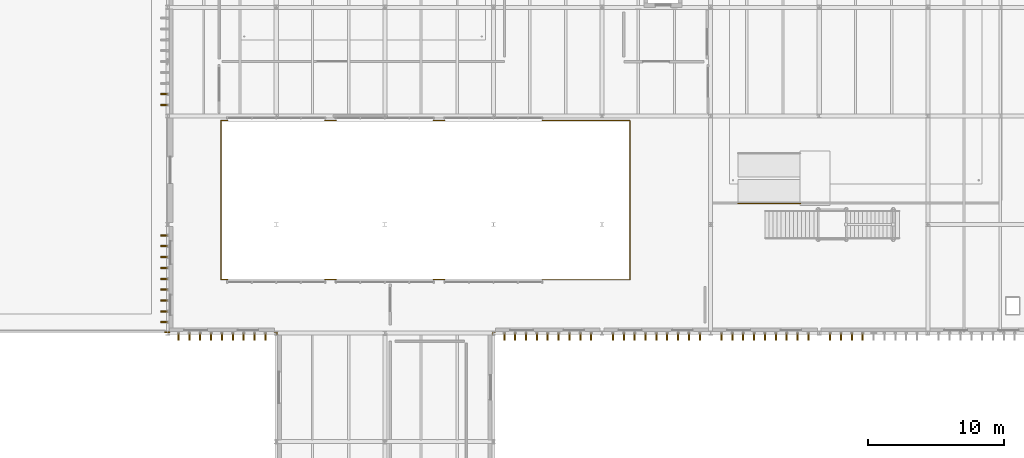
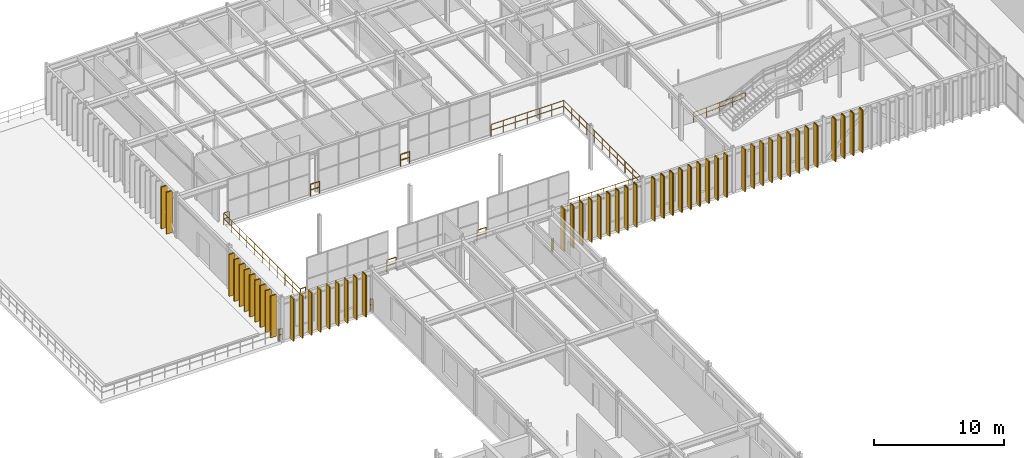
# One storey, part 115 of 122: 51 coverings, 51 shading devices, 11 railings.
"""IFC4 building model written with IfcOpenShell, lengths in metres."""

from ifc_helpers import new_model, si_unit, direction, frame, origin, origin_2d, place, context, subcontext, project, spatial, rectangle, circle, extrude, material, layer, layer_set, type_object, element, save


model = new_model("IFC4")

# Units and contexts
model_context = context("Model", 3, precision=1e-05, world=origin(), true_north=direction((0.0, 1.0)))
body_context = subcontext(model_context, "Body", "Model", "MODEL_VIEW")
ifc_project = project(units=[si_unit("LENGTHUNIT", "METRE"), si_unit("AREAUNIT", "SQUARE_METRE"), si_unit("VOLUMEUNIT", "CUBIC_METRE"), si_unit("PLANEANGLEUNIT", "RADIAN"), si_unit("MASSUNIT", "GRAM", prefix="KILO")], contexts=[model_context])

# Site, building, storey
site_placement = place(None, origin())
site = spatial("IfcSite", under=ifc_project, at=site_placement, CompositionType="ELEMENT")
building_placement = place(site_placement, origin())
building = spatial("IfcBuilding", under=site, at=building_placement, Name="Sundkrona Museum", CompositionType="ELEMENT")
storey_placement = place(building_placement, frame((0.0, 0.0, 5.39990234375)))
storey = spatial("IfcBuildingStorey", under=building, at=storey_placement, Name="L01", CompositionType="ELEMENT", Elevation=5.39990234375)

# Coverings
ifc_material_1 = material(Name="Frost-Resistant Vitrified Stoneware Mosaic Cladding", Category="masonry")
ifc_layer_1 = layer(ifc_material_1, 0.044921875)
ifc_layer_set_1 = layer_set([ifc_layer_1], Name="Frost-Resistant Vitrified Stoneware Mosaic Cladding")
covering_type = type_object("IfcCoveringType", Name="COV-CLD-MOS", PredefinedType="CLADDING", material=ifc_layer_set_1)
for number, where, z_axis, x_axis, name in (
    (1, (16.800048828125, 77.7451171875, 0.0), (0.0, 0.0, 1.0), (1.0, 0.0, 0.0), "L01 Vitrified Ceramic Brise-Soleil Casing S-001"),
    (2, (17.60009765625, 77.7451171875, 0.0), (0.0, 0.0, 1.0), (1.0, 0.0, 0.0), "L01 Vitrified Ceramic Brise-Soleil Casing S-002"),
    (3, (18.39990234375, 77.7451171875, 0.0), (0.0, 0.0, 1.0), (1.0, 0.0, 0.0), "L01 Vitrified Ceramic Brise-Soleil Casing S-003"),
    (4, (19.199951171875, 77.7451171875, 0.0), (0.0, 0.0, 1.0), (1.0, 0.0, 0.0), "L01 Vitrified Ceramic Brise-Soleil Casing S-004"),
    (5, (20.0, 77.7451171875, 0.0), (0.0, 0.0, 1.0), (1.0, 0.0, 0.0), "L01 Vitrified Ceramic Brise-Soleil Casing S-005"),
    (6, (20.800048828125, 77.7451171875, 0.0), (0.0, 0.0, 1.0), (1.0, 0.0, 0.0), "L01 Vitrified Ceramic Brise-Soleil Casing S-006"),
    (7, (21.60009765625, 77.7451171875, 0.0), (0.0, 0.0, 1.0), (1.0, 0.0, 0.0), "L01 Vitrified Ceramic Brise-Soleil Casing S-007"),
    (8, (22.39990234375, 77.7451171875, 0.0), (0.0, 0.0, 1.0), (1.0, 0.0, 0.0), "L01 Vitrified Ceramic Brise-Soleil Casing S-008"),
    (9, (23.199951171875, 77.7451171875, 0.0), (0.0, 0.0, 1.0), (1.0, 0.0, 0.0), "L01 Vitrified Ceramic Brise-Soleil Casing S-009"),
    (10, (40.800048828125, 77.7451171875, 0.0), (0.0, 0.0, 1.0), (1.0, 0.0, 0.0), "L01 Vitrified Ceramic Brise-Soleil Casing S-010"),
    (11, (41.60009765625, 77.7451171875, 0.0), (0.0, 0.0, 1.0), (1.0, 0.0, 0.0), "L01 Vitrified Ceramic Brise-Soleil Casing S-011"),
    (12, (42.39990234375, 77.7451171875, 0.0), (0.0, 0.0, 1.0), (1.0, 0.0, 0.0), "L01 Vitrified Ceramic Brise-Soleil Casing S-012"),
    (13, (43.199951171875, 77.7451171875, 0.0), (0.0, 0.0, 1.0), (1.0, 0.0, 0.0), "L01 Vitrified Ceramic Brise-Soleil Casing S-013"),
    (14, (44.0, 77.7451171875, 0.0), (0.0, 0.0, 1.0), (1.0, 0.0, 0.0), "L01 Vitrified Ceramic Brise-Soleil Casing S-014"),
    (15, (44.800048828125, 77.7451171875, 0.0), (0.0, 0.0, 1.0), (1.0, 0.0, 0.0), "L01 Vitrified Ceramic Brise-Soleil Casing S-015"),
    (16, (45.60009765625, 77.7451171875, 0.0), (0.0, 0.0, 1.0), (1.0, 0.0, 0.0), "L01 Vitrified Ceramic Brise-Soleil Casing S-016"),
    (17, (46.39990234375, 77.7451171875, 0.0), (0.0, 0.0, 1.0), (1.0, 0.0, 0.0), "L01 Vitrified Ceramic Brise-Soleil Casing S-017"),
    (18, (47.199951171875, 77.7451171875, 0.0), (0.0, 0.0, 1.0), (1.0, 0.0, 0.0), "L01 Vitrified Ceramic Brise-Soleil Casing S-018"),
    (19, (48.800048828125, 77.7451171875, 0.0), (0.0, 0.0, 1.0), (1.0, 0.0, 0.0), "L01 Vitrified Ceramic Brise-Soleil Casing S-019"),
    (20, (49.60009765625, 77.7451171875, 0.0), (0.0, 0.0, 1.0), (1.0, 0.0, 0.0), "L01 Vitrified Ceramic Brise-Soleil Casing S-020"),
    (21, (50.39990234375, 77.7451171875, 0.0), (0.0, 0.0, 1.0), (1.0, 0.0, 0.0), "L01 Vitrified Ceramic Brise-Soleil Casing S-021"),
    (22, (51.199951171875, 77.7451171875, 0.0), (0.0, 0.0, 1.0), (1.0, 0.0, 0.0), "L01 Vitrified Ceramic Brise-Soleil Casing S-022"),
    (23, (52.0, 77.7451171875, 0.0), (0.0, 0.0, 1.0), (1.0, 0.0, 0.0), "L01 Vitrified Ceramic Brise-Soleil Casing S-023"),
    (24, (52.800048828125, 77.7451171875, 0.0), (0.0, 0.0, 1.0), (1.0, 0.0, 0.0), "L01 Vitrified Ceramic Brise-Soleil Casing S-024"),
    (25, (53.60009765625, 77.7451171875, 0.0), (0.0, 0.0, 1.0), (1.0, 0.0, 0.0), "L01 Vitrified Ceramic Brise-Soleil Casing S-025"),
    (26, (54.39990234375, 77.7451171875, 0.0), (0.0, 0.0, 1.0), (1.0, 0.0, 0.0), "L01 Vitrified Ceramic Brise-Soleil Casing S-026"),
    (27, (55.199951171875, 77.7451171875, 0.0), (0.0, 0.0, 1.0), (1.0, 0.0, 0.0), "L01 Vitrified Ceramic Brise-Soleil Casing S-027"),
    (28, (56.800048828125, 77.7451171875, 0.0), (0.0, 0.0, 1.0), (1.0, 0.0, 0.0), "L01 Vitrified Ceramic Brise-Soleil Casing S-028"),
    (29, (57.60009765625, 77.7451171875, 0.0), (0.0, 0.0, 1.0), (1.0, 0.0, 0.0), "L01 Vitrified Ceramic Brise-Soleil Casing S-029"),
    (30, (58.39990234375, 77.7451171875, 0.0), (0.0, 0.0, 1.0), (1.0, 0.0, 0.0), "L01 Vitrified Ceramic Brise-Soleil Casing S-030"),
    (31, (59.199951171875, 77.7451171875, 0.0), (0.0, 0.0, 1.0), (1.0, 0.0, 0.0), "L01 Vitrified Ceramic Brise-Soleil Casing S-031"),
    (32, (60.0, 77.7451171875, 0.0), (0.0, 0.0, 1.0), (1.0, 0.0, 0.0), "L01 Vitrified Ceramic Brise-Soleil Casing S-032"),
    (33, (60.800048828125, 77.7451171875, 0.0), (0.0, 0.0, 1.0), (1.0, 0.0, 0.0), "L01 Vitrified Ceramic Brise-Soleil Casing S-033"),
    (34, (61.60009765625, 77.7451171875, 0.0), (0.0, 0.0, 1.0), (1.0, 0.0, 0.0), "L01 Vitrified Ceramic Brise-Soleil Casing S-034"),
    (35, (62.39990234375, 77.7451171875, 0.0), (0.0, 0.0, 1.0), (1.0, 0.0, 0.0), "L01 Vitrified Ceramic Brise-Soleil Casing S-035"),
    (36, (63.199951171875, 77.7451171875, 0.0), (0.0, 0.0, 1.0), (1.0, 0.0, 0.0), "L01 Vitrified Ceramic Brise-Soleil Casing S-036"),
    (37, (64.800048828125, 77.7451171875, 0.0), (0.0, 0.0, 1.0), (1.0, 0.0, 0.0), "L01 Vitrified Ceramic Brise-Soleil Casing S-037"),
    (38, (65.60009765625, 77.7451171875, 0.0), (0.0, 0.0, 1.0), (1.0, 0.0, 0.0), "L01 Vitrified Ceramic Brise-Soleil Casing S-038"),
    (39, (66.39990234375, 77.7451171875, 0.0), (0.0, 0.0, 1.0), (1.0, 0.0, 0.0), "L01 Vitrified Ceramic Brise-Soleil Casing S-039"),
    (40, (67.199951171875, 77.7451171875, 0.0), (0.0, 0.0, 1.0), (1.0, 0.0, 0.0), "L01 Vitrified Ceramic Brise-Soleil Casing S-040"),
):
    element("IfcCovering", number, at=place(storey_placement, frame(where, z_axis=z_axis, x_axis=x_axis)), inside=storey, type_object=covering_type, Name=name, PredefinedType="CLADDING", context=body_context, shape_type="SweptSolid", body=[
        extrude(rectangle(XDim=0.110107421875, YDim=0.530029296875, at=origin_2d()), origin(), (0.0, 0.0, 1.0), 3.9599609375),
    ])
for number, where, z_axis, x_axis, name in (
    (41, (15.7451171875, 78.800048828125, 0.000244140625), (0.0, 0.0, 1.0), (1.0, 0.0, 0.0), "L01 Vitrified Ceramic Brise-Soleil Casing W-145"),
    (42, (15.7451171875, 79.60009765625, 0.000244140625), (0.0, 0.0, 1.0), (1.0, 0.0, 0.0), "L01 Vitrified Ceramic Brise-Soleil Casing W-146"),
    (43, (15.7451171875, 80.39990234375, 0.000244140625), (0.0, 0.0, 1.0), (1.0, 0.0, 0.0), "L01 Vitrified Ceramic Brise-Soleil Casing W-147"),
    (44, (15.7451171875, 81.199951171875, 0.000244140625), (0.0, 0.0, 1.0), (1.0, 0.0, 0.0), "L01 Vitrified Ceramic Brise-Soleil Casing W-148"),
    (45, (15.7451171875, 82.0, 0.000244140625), (0.0, 0.0, 1.0), (1.0, 0.0, 0.0), "L01 Vitrified Ceramic Brise-Soleil Casing W-149"),
    (46, (15.7451171875, 82.800048828125, 0.000244140625), (0.0, 0.0, 1.0), (1.0, 0.0, 0.0), "L01 Vitrified Ceramic Brise-Soleil Casing W-150"),
    (47, (15.7451171875, 83.60009765625, 0.000244140625), (0.0, 0.0, 1.0), (1.0, 0.0, 0.0), "L01 Vitrified Ceramic Brise-Soleil Casing W-151"),
    (48, (15.7451171875, 84.39990234375, 0.000244140625), (0.0, 0.0, 1.0), (1.0, 0.0, 0.0), "L01 Vitrified Ceramic Brise-Soleil Casing W-152"),
    (49, (15.7451171875, 85.199951171875, 0.000244140625), (0.0, 0.0, 1.0), (1.0, 0.0, 0.0), "L01 Vitrified Ceramic Brise-Soleil Casing W-153"),
    (50, (15.7451171875, 94.800048828125, 0.000244140625), (0.0, 0.0, 1.0), (1.0, 0.0, 0.0), "L01 Vitrified Ceramic Brise-Soleil Casing W-154"),
    (51, (15.7451171875, 95.60009765625, 0.000244140625), (0.0, 0.0, 1.0), (1.0, 0.0, 0.0), "L01 Vitrified Ceramic Brise-Soleil Casing W-155"),
):
    element("IfcCovering", number, at=place(storey_placement, frame(where, z_axis=z_axis, x_axis=x_axis)), inside=storey, type_object=covering_type, Name=name, PredefinedType="CLADDING", context=body_context, shape_type="SweptSolid", body=[
        extrude(rectangle(XDim=0.530029296875, YDim=0.110107421875, at=origin_2d()), origin(), (0.0, 0.0, 1.0), 3.919921875),
    ])

# Shading devices
ifc_material_2 = material(Name="Vitrified Stoneware Ceramic on Galvanised Steel Core", Category="masonry")
ifc_layer_2 = layer(ifc_material_2, 0.080078125)
ifc_layer_set_2 = layer_set([ifc_layer_2], Name="Vitrified Stoneware Ceramic on Galvanised Steel Core")
shading_device_type = type_object("IfcShadingDeviceType", Name="FIN-CER-520", PredefinedType="USERDEFINED", material=ifc_layer_set_2)
for number, where, z_axis, x_axis, name in (
    (52, (16.800048828125, 77.739990234375, 0.0), (0.0, 0.0, 1.0), (1.0, 0.0, 0.0), "L01 Ceramic Brise-Soleil Fin S-001"),
    (53, (17.60009765625, 77.739990234375, 0.0), (0.0, 0.0, 1.0), (1.0, 0.0, 0.0), "L01 Ceramic Brise-Soleil Fin S-002"),
    (54, (18.39990234375, 77.739990234375, 0.0), (0.0, 0.0, 1.0), (1.0, 0.0, 0.0), "L01 Ceramic Brise-Soleil Fin S-003"),
    (55, (19.199951171875, 77.739990234375, 0.0), (0.0, 0.0, 1.0), (1.0, 0.0, 0.0), "L01 Ceramic Brise-Soleil Fin S-004"),
    (56, (20.0, 77.739990234375, 0.0), (0.0, 0.0, 1.0), (1.0, 0.0, 0.0), "L01 Ceramic Brise-Soleil Fin S-005"),
    (57, (20.800048828125, 77.739990234375, 0.0), (0.0, 0.0, 1.0), (1.0, 0.0, 0.0), "L01 Ceramic Brise-Soleil Fin S-006"),
    (58, (21.60009765625, 77.739990234375, 0.0), (0.0, 0.0, 1.0), (1.0, 0.0, 0.0), "L01 Ceramic Brise-Soleil Fin S-007"),
    (59, (22.39990234375, 77.739990234375, 0.0), (0.0, 0.0, 1.0), (1.0, 0.0, 0.0), "L01 Ceramic Brise-Soleil Fin S-008"),
    (60, (23.199951171875, 77.739990234375, 0.0), (0.0, 0.0, 1.0), (1.0, 0.0, 0.0), "L01 Ceramic Brise-Soleil Fin S-009"),
    (61, (40.800048828125, 77.739990234375, 0.0), (0.0, 0.0, 1.0), (1.0, 0.0, 0.0), "L01 Ceramic Brise-Soleil Fin S-010"),
    (62, (41.60009765625, 77.739990234375, 0.0), (0.0, 0.0, 1.0), (1.0, 0.0, 0.0), "L01 Ceramic Brise-Soleil Fin S-011"),
    (63, (42.39990234375, 77.739990234375, 0.0), (0.0, 0.0, 1.0), (1.0, 0.0, 0.0), "L01 Ceramic Brise-Soleil Fin S-012"),
    (64, (43.199951171875, 77.739990234375, 0.0), (0.0, 0.0, 1.0), (1.0, 0.0, 0.0), "L01 Ceramic Brise-Soleil Fin S-013"),
    (65, (44.0, 77.739990234375, 0.0), (0.0, 0.0, 1.0), (1.0, 0.0, 0.0), "L01 Ceramic Brise-Soleil Fin S-014"),
    (66, (44.800048828125, 77.739990234375, 0.0), (0.0, 0.0, 1.0), (1.0, 0.0, 0.0), "L01 Ceramic Brise-Soleil Fin S-015"),
    (67, (45.60009765625, 77.739990234375, 0.0), (0.0, 0.0, 1.0), (1.0, 0.0, 0.0), "L01 Ceramic Brise-Soleil Fin S-016"),
    (68, (46.39990234375, 77.739990234375, 0.0), (0.0, 0.0, 1.0), (1.0, 0.0, 0.0), "L01 Ceramic Brise-Soleil Fin S-017"),
    (69, (47.199951171875, 77.739990234375, 0.0), (0.0, 0.0, 1.0), (1.0, 0.0, 0.0), "L01 Ceramic Brise-Soleil Fin S-018"),
    (70, (48.800048828125, 77.739990234375, 0.0), (0.0, 0.0, 1.0), (1.0, 0.0, 0.0), "L01 Ceramic Brise-Soleil Fin S-019"),
    (71, (49.60009765625, 77.739990234375, 0.0), (0.0, 0.0, 1.0), (1.0, 0.0, 0.0), "L01 Ceramic Brise-Soleil Fin S-020"),
    (72, (50.39990234375, 77.739990234375, 0.0), (0.0, 0.0, 1.0), (1.0, 0.0, 0.0), "L01 Ceramic Brise-Soleil Fin S-021"),
    (73, (51.199951171875, 77.739990234375, 0.0), (0.0, 0.0, 1.0), (1.0, 0.0, 0.0), "L01 Ceramic Brise-Soleil Fin S-022"),
    (74, (52.0, 77.739990234375, 0.0), (0.0, 0.0, 1.0), (1.0, 0.0, 0.0), "L01 Ceramic Brise-Soleil Fin S-023"),
    (75, (52.800048828125, 77.739990234375, 0.0), (0.0, 0.0, 1.0), (1.0, 0.0, 0.0), "L01 Ceramic Brise-Soleil Fin S-024"),
    (76, (53.60009765625, 77.739990234375, 0.0), (0.0, 0.0, 1.0), (1.0, 0.0, 0.0), "L01 Ceramic Brise-Soleil Fin S-025"),
    (77, (54.39990234375, 77.739990234375, 0.0), (0.0, 0.0, 1.0), (1.0, 0.0, 0.0), "L01 Ceramic Brise-Soleil Fin S-026"),
    (78, (55.199951171875, 77.739990234375, 0.0), (0.0, 0.0, 1.0), (1.0, 0.0, 0.0), "L01 Ceramic Brise-Soleil Fin S-027"),
    (79, (56.800048828125, 77.739990234375, 0.0), (0.0, 0.0, 1.0), (1.0, 0.0, 0.0), "L01 Ceramic Brise-Soleil Fin S-028"),
    (80, (57.60009765625, 77.739990234375, 0.0), (0.0, 0.0, 1.0), (1.0, 0.0, 0.0), "L01 Ceramic Brise-Soleil Fin S-029"),
    (81, (58.39990234375, 77.739990234375, 0.0), (0.0, 0.0, 1.0), (1.0, 0.0, 0.0), "L01 Ceramic Brise-Soleil Fin S-030"),
    (82, (59.199951171875, 77.739990234375, 0.0), (0.0, 0.0, 1.0), (1.0, 0.0, 0.0), "L01 Ceramic Brise-Soleil Fin S-031"),
    (83, (60.0, 77.739990234375, 0.0), (0.0, 0.0, 1.0), (1.0, 0.0, 0.0), "L01 Ceramic Brise-Soleil Fin S-032"),
    (84, (60.800048828125, 77.739990234375, 0.0), (0.0, 0.0, 1.0), (1.0, 0.0, 0.0), "L01 Ceramic Brise-Soleil Fin S-033"),
    (85, (61.60009765625, 77.739990234375, 0.0), (0.0, 0.0, 1.0), (1.0, 0.0, 0.0), "L01 Ceramic Brise-Soleil Fin S-034"),
    (86, (62.39990234375, 77.739990234375, 0.0), (0.0, 0.0, 1.0), (1.0, 0.0, 0.0), "L01 Ceramic Brise-Soleil Fin S-035"),
    (87, (63.199951171875, 77.739990234375, 0.0), (0.0, 0.0, 1.0), (1.0, 0.0, 0.0), "L01 Ceramic Brise-Soleil Fin S-036"),
    (88, (64.800048828125, 77.739990234375, 0.0), (0.0, 0.0, 1.0), (1.0, 0.0, 0.0), "L01 Ceramic Brise-Soleil Fin S-037"),
    (89, (65.60009765625, 77.739990234375, 0.0), (0.0, 0.0, 1.0), (1.0, 0.0, 0.0), "L01 Ceramic Brise-Soleil Fin S-038"),
    (90, (66.39990234375, 77.739990234375, 0.0), (0.0, 0.0, 1.0), (1.0, 0.0, 0.0), "L01 Ceramic Brise-Soleil Fin S-039"),
    (91, (67.199951171875, 77.739990234375, 0.0), (0.0, 0.0, 1.0), (1.0, 0.0, 0.0), "L01 Ceramic Brise-Soleil Fin S-040"),
):
    element("IfcShadingDevice", number, at=place(storey_placement, frame(where, z_axis=z_axis, x_axis=x_axis)), inside=storey, type_object=shading_device_type, Name=name, ObjectType="SOLAR FIN", PredefinedType="USERDEFINED", context=body_context, shape_type="SweptSolid", body=[
        extrude(rectangle(XDim=0.080078125, YDim=0.52001953125, at=origin_2d()), origin(), (0.0, 0.0, 1.0), 3.9599609375),
    ])
for number, where, z_axis, x_axis, name in (
    (92, (15.739990234375, 78.800048828125, 0.000244140625), (0.0, 0.0, 1.0), (1.0, 0.0, 0.0), "L01 Ceramic Brise-Soleil Fin W-145"),
    (93, (15.739990234375, 79.60009765625, 0.000244140625), (0.0, 0.0, 1.0), (1.0, 0.0, 0.0), "L01 Ceramic Brise-Soleil Fin W-146"),
    (94, (15.739990234375, 80.39990234375, 0.000244140625), (0.0, 0.0, 1.0), (1.0, 0.0, 0.0), "L01 Ceramic Brise-Soleil Fin W-147"),
    (95, (15.739990234375, 81.199951171875, 0.000244140625), (0.0, 0.0, 1.0), (1.0, 0.0, 0.0), "L01 Ceramic Brise-Soleil Fin W-148"),
    (96, (15.739990234375, 82.0, 0.000244140625), (0.0, 0.0, 1.0), (1.0, 0.0, 0.0), "L01 Ceramic Brise-Soleil Fin W-149"),
    (97, (15.739990234375, 82.800048828125, 0.000244140625), (0.0, 0.0, 1.0), (1.0, 0.0, 0.0), "L01 Ceramic Brise-Soleil Fin W-150"),
    (98, (15.739990234375, 83.60009765625, 0.000244140625), (0.0, 0.0, 1.0), (1.0, 0.0, 0.0), "L01 Ceramic Brise-Soleil Fin W-151"),
    (99, (15.739990234375, 84.39990234375, 0.000244140625), (0.0, 0.0, 1.0), (1.0, 0.0, 0.0), "L01 Ceramic Brise-Soleil Fin W-152"),
    (100, (15.739990234375, 85.199951171875, 0.000244140625), (0.0, 0.0, 1.0), (1.0, 0.0, 0.0), "L01 Ceramic Brise-Soleil Fin W-153"),
    (101, (15.739990234375, 94.800048828125, 0.000244140625), (0.0, 0.0, 1.0), (1.0, 0.0, 0.0), "L01 Ceramic Brise-Soleil Fin W-154"),
    (102, (15.739990234375, 95.60009765625, 0.000244140625), (0.0, 0.0, 1.0), (1.0, 0.0, 0.0), "L01 Ceramic Brise-Soleil Fin W-155"),
):
    element("IfcShadingDevice", number, at=place(storey_placement, frame(where, z_axis=z_axis, x_axis=x_axis)), inside=storey, type_object=shading_device_type, Name=name, ObjectType="SOLAR FIN", PredefinedType="USERDEFINED", context=body_context, shape_type="SweptSolid", body=[
        extrude(rectangle(XDim=0.52001953125, YDim=0.080078125, at=origin_2d()), origin(), (0.0, 0.0, 1.0), 3.919921875),
    ])

# Railings
ifc_material_3 = material(Name="Painted Steel S355J2 and Laminated Glass Balustrade", Category="steel")
railing_type_1 = type_object("IfcRailingType", Name="RL-GUARD-1100", PredefinedType="BALUSTRADE", material=ifc_material_3)
railing_1_placement = place(storey_placement, frame((16.14208984375, 78.06005859375, 0.0)))
element("IfcRailing", 103, at=railing_1_placement, inside=storey, type_object=railing_type_1, Name="L01 Edge Protection Balustrade 001", PredefinedType="BALUSTRADE", context=body_context, shape_type="SweptSolid", body=[
    extrude(circle(Radius=0.02392578125, at=origin_2d()), frame((0.0, 0.0, 1.09619140625), z_axis=(-1.0, 0.0, 0.0), x_axis=(0.0, -1.0, 0.0)), (0.0, 0.0, 1.0), 0.342041015625),
    extrude(circle(Radius=0.02392578125, at=origin_2d()), frame((0.0, 0.0, 0.56005859375), z_axis=(-1.0, 0.0, 0.0), x_axis=(0.0, -1.0, 0.0)), (0.0, 0.0, 1.0), 0.342041015625),
    extrude(circle(Radius=0.02099609375, at=origin_2d()), origin(), (0.0, 0.0, 1.0), 1.072021484375),
    extrude(circle(Radius=0.02099609375, at=origin_2d()), frame((-0.342041015625, 0.0, 0.0)), (0.0, 0.0, 1.0), 1.072021484375),
])
railing_2_placement = place(storey_placement, frame((19.93994140625, 81.93994140625, 0.0)))
element("IfcRailing", 104, at=railing_2_placement, inside=storey, type_object=railing_type_1, Name="L01 Edge Protection Balustrade 005", PredefinedType="BALUSTRADE", context=body_context, shape_type="SweptSolid", body=[
    extrude(circle(Radius=0.02392578125, at=origin_2d()), frame((0.0, 0.0, 1.09619140625), z_axis=(1.0, 0.0, 0.0), x_axis=(0.0, 1.0, 0.0)), (0.0, 0.0, 1.0), 0.4599609375),
    extrude(circle(Radius=0.02392578125, at=origin_2d()), frame((0.0, 0.0, 0.56005859375), z_axis=(1.0, 0.0, 0.0), x_axis=(0.0, 1.0, 0.0)), (0.0, 0.0, 1.0), 0.4599609375),
    extrude(circle(Radius=0.02099609375, at=origin_2d()), origin(), (0.0, 0.0, 1.0), 1.072021484375),
    extrude(circle(Radius=0.02099609375, at=origin_2d()), frame((0.4599609375, 0.0, 0.0)), (0.0, 0.0, 1.0), 1.072021484375),
])
railing_3_placement = place(storey_placement, frame((20.39990234375, 93.659912109375, 0.0)))
element("IfcRailing", 105, at=railing_3_placement, inside=storey, type_object=railing_type_1, Name="L01 Edge Protection Balustrade 006", PredefinedType="BALUSTRADE", context=body_context, shape_type="SweptSolid", body=[
    extrude(circle(Radius=0.02392578125, at=origin_2d()), frame((0.0, 0.0, 1.09619140625), z_axis=(-1.0, 0.0, 0.0), x_axis=(0.0, -1.0, 0.0)), (0.0, 0.0, 1.0), 0.4599609375),
    extrude(circle(Radius=0.02392578125, at=origin_2d()), frame((0.0, 0.0, 0.56005859375), z_axis=(-1.0, 0.0, 0.0), x_axis=(0.0, -1.0, 0.0)), (0.0, 0.0, 1.0), 0.4599609375),
    extrude(circle(Radius=0.02392578125, at=origin_2d()), frame((-0.4599609375, 0.0, 1.09619140625), z_axis=(0.0, -1.0, 0.0), x_axis=(1.0, 0.0, 0.0)), (0.0, 0.0, 1.0), 11.719970703125),
    extrude(circle(Radius=0.02392578125, at=origin_2d()), frame((-0.4599609375, 0.0, 0.56005859375), z_axis=(0.0, -1.0, 0.0), x_axis=(1.0, 0.0, 0.0)), (0.0, 0.0, 1.0), 11.719970703125),
    extrude(circle(Radius=0.02099609375, at=origin_2d()), origin(), (0.0, 0.0, 1.0), 1.072021484375),
    extrude(circle(Radius=0.02099609375, at=origin_2d()), frame((-0.4599609375, 0.0, 0.0)), (0.0, 0.0, 1.0), 1.072021484375),
    extrude(circle(Radius=0.02099609375, at=origin_2d()), frame((-0.4599609375, -1.171875, 0.0)), (0.0, 0.0, 1.0), 1.072021484375),
    extrude(circle(Radius=0.02099609375, at=origin_2d()), frame((-0.4599609375, -2.343994140625, 0.0)), (0.0, 0.0, 1.0), 1.072021484375),
    extrude(circle(Radius=0.02099609375, at=origin_2d()), frame((-0.4599609375, -3.51611328125, 0.0)), (0.0, 0.0, 1.0), 1.072021484375),
    extrude(circle(Radius=0.02099609375, at=origin_2d()), frame((-0.4599609375, -4.68798828125, 0.0)), (0.0, 0.0, 1.0), 1.072021484375),
    extrude(circle(Radius=0.02099609375, at=origin_2d()), frame((-0.4599609375, -5.85986328125, 0.0)), (0.0, 0.0, 1.0), 1.072021484375),
    extrude(circle(Radius=0.02099609375, at=origin_2d()), frame((-0.4599609375, -7.031982421875, 0.0)), (0.0, 0.0, 1.0), 1.072021484375),
    extrude(circle(Radius=0.02099609375, at=origin_2d()), frame((-0.4599609375, -8.2041015625, 0.0)), (0.0, 0.0, 1.0), 1.072021484375),
    extrude(circle(Radius=0.02099609375, at=origin_2d()), frame((-0.4599609375, -9.3759765625, 0.0)), (0.0, 0.0, 1.0), 1.072021484375),
    extrude(circle(Radius=0.02099609375, at=origin_2d()), frame((-0.4599609375, -10.5478515625, 0.0)), (0.0, 0.0, 1.0), 1.072021484375),
    extrude(circle(Radius=0.02099609375, at=origin_2d()), frame((-0.4599609375, -11.719970703125, 0.0)), (0.0, 0.0, 1.0), 1.072021484375),
])
railing_4_placement = place(storey_placement, frame((24.06005859375, 77.85791015625, 0.0)))
element("IfcRailing", 106, at=railing_4_placement, inside=storey, type_object=railing_type_1, Name="L01 Edge Protection Balustrade 008", PredefinedType="BALUSTRADE", context=body_context, shape_type="SweptSolid", body=[
    extrude(circle(Radius=0.02392578125, at=origin_2d()), frame((0.0, 0.0, 1.09619140625), z_axis=(0.0, 1.0, 0.0), x_axis=(-1.0, 0.0, 0.0)), (0.0, 0.0, 1.0), 0.2021484375),
    extrude(circle(Radius=0.02392578125, at=origin_2d()), frame((0.0, 0.0, 0.56005859375), z_axis=(0.0, 1.0, 0.0), x_axis=(-1.0, 0.0, 0.0)), (0.0, 0.0, 1.0), 0.2021484375),
    extrude(circle(Radius=0.02392578125, at=origin_2d()), frame((0.0, 0.2021484375, 1.09619140625), z_axis=(-1.0, 0.0, 0.0), x_axis=(0.0, -1.0, 0.0)), (0.0, 0.0, 1.0), 0.2021484375),
    extrude(circle(Radius=0.02392578125, at=origin_2d()), frame((0.0, 0.2021484375, 0.56005859375), z_axis=(-1.0, 0.0, 0.0), x_axis=(0.0, -1.0, 0.0)), (0.0, 0.0, 1.0), 0.2021484375),
    extrude(circle(Radius=0.02099609375, at=origin_2d()), origin(), (0.0, 0.0, 1.0), 1.072021484375),
    extrude(circle(Radius=0.02099609375, at=origin_2d()), frame((0.0, 0.2021484375, 0.0)), (0.0, 0.0, 1.0), 1.072021484375),
    extrude(circle(Radius=0.02099609375, at=origin_2d()), frame((-0.2021484375, 0.2021484375, 0.0)), (0.0, 0.0, 1.0), 1.072021484375),
])
railing_5_placement = place(storey_placement, frame((27.60009765625, 81.93994140625, 0.0)))
element("IfcRailing", 107, at=railing_5_placement, inside=storey, type_object=railing_type_1, Name="L01 Edge Protection Balustrade 009", PredefinedType="BALUSTRADE", context=body_context, shape_type="SweptSolid", body=[
    extrude(circle(Radius=0.02392578125, at=origin_2d()), frame((0.0, 0.0, 1.09619140625), z_axis=(1.0, 0.0, 0.0), x_axis=(0.0, 1.0, 0.0)), (0.0, 0.0, 1.0), 0.7998046875),
    extrude(circle(Radius=0.02392578125, at=origin_2d()), frame((0.0, 0.0, 0.56005859375), z_axis=(1.0, 0.0, 0.0), x_axis=(0.0, 1.0, 0.0)), (0.0, 0.0, 1.0), 0.7998046875),
    extrude(circle(Radius=0.02099609375, at=origin_2d()), origin(), (0.0, 0.0, 1.0), 1.072021484375),
    extrude(circle(Radius=0.02099609375, at=origin_2d()), frame((0.7998046875, 0.0, 0.0)), (0.0, 0.0, 1.0), 1.072021484375),
])
railing_6_placement = place(storey_placement, frame((28.39990234375, 93.659912109375, 0.0)))
element("IfcRailing", 108, at=railing_6_placement, inside=storey, type_object=railing_type_1, Name="L01 Edge Protection Balustrade 010", PredefinedType="BALUSTRADE", context=body_context, shape_type="SweptSolid", body=[
    extrude(circle(Radius=0.02392578125, at=origin_2d()), frame((0.0, 0.0, 1.09619140625), z_axis=(-1.0, 0.0, 0.0), x_axis=(0.0, -1.0, 0.0)), (0.0, 0.0, 1.0), 0.7998046875),
    extrude(circle(Radius=0.02392578125, at=origin_2d()), frame((0.0, 0.0, 0.56005859375), z_axis=(-1.0, 0.0, 0.0), x_axis=(0.0, -1.0, 0.0)), (0.0, 0.0, 1.0), 0.7998046875),
    extrude(circle(Radius=0.02099609375, at=origin_2d()), origin(), (0.0, 0.0, 1.0), 1.072021484375),
    extrude(circle(Radius=0.02099609375, at=origin_2d()), frame((-0.7998046875, 0.0, 0.0)), (0.0, 0.0, 1.0), 1.072021484375),
])
railing_7_placement = place(storey_placement, frame((35.60009765625, 81.93994140625, 0.0)))
element("IfcRailing", 109, at=railing_7_placement, inside=storey, type_object=railing_type_1, Name="L01 Edge Protection Balustrade 013", PredefinedType="BALUSTRADE", context=body_context, shape_type="SweptSolid", body=[
    extrude(circle(Radius=0.02392578125, at=origin_2d()), frame((0.0, 0.0, 1.09619140625), z_axis=(1.0, 0.0, 0.0), x_axis=(0.0, 1.0, 0.0)), (0.0, 0.0, 1.0), 0.7998046875),
    extrude(circle(Radius=0.02392578125, at=origin_2d()), frame((0.0, 0.0, 0.56005859375), z_axis=(1.0, 0.0, 0.0), x_axis=(0.0, 1.0, 0.0)), (0.0, 0.0, 1.0), 0.7998046875),
    extrude(circle(Radius=0.02099609375, at=origin_2d()), origin(), (0.0, 0.0, 1.0), 1.072021484375),
    extrude(circle(Radius=0.02099609375, at=origin_2d()), frame((0.7998046875, 0.0, 0.0)), (0.0, 0.0, 1.0), 1.072021484375),
])
railing_8_placement = place(storey_placement, frame((36.39990234375, 93.659912109375, 0.0)))
element("IfcRailing", 110, at=railing_8_placement, inside=storey, type_object=railing_type_1, Name="L01 Edge Protection Balustrade 014", PredefinedType="BALUSTRADE", context=body_context, shape_type="SweptSolid", body=[
    extrude(circle(Radius=0.02392578125, at=origin_2d()), frame((0.0, 0.0, 1.09619140625), z_axis=(-1.0, 0.0, 0.0), x_axis=(0.0, -1.0, 0.0)), (0.0, 0.0, 1.0), 0.7998046875),
    extrude(circle(Radius=0.02392578125, at=origin_2d()), frame((0.0, 0.0, 0.56005859375), z_axis=(-1.0, 0.0, 0.0), x_axis=(0.0, -1.0, 0.0)), (0.0, 0.0, 1.0), 0.7998046875),
    extrude(circle(Radius=0.02099609375, at=origin_2d()), origin(), (0.0, 0.0, 1.0), 1.072021484375),
    extrude(circle(Radius=0.02099609375, at=origin_2d()), frame((-0.7998046875, 0.0, 0.0)), (0.0, 0.0, 1.0), 1.072021484375),
])
railing_9_placement = place(storey_placement, frame((40.14208984375, 78.06005859375, 0.0)))
element("IfcRailing", 111, at=railing_9_placement, inside=storey, type_object=railing_type_1, Name="L01 Edge Protection Balustrade 018", PredefinedType="BALUSTRADE", context=body_context, shape_type="SweptSolid", body=[
    extrude(circle(Radius=0.02392578125, at=origin_2d()), frame((0.0, 0.0, 1.09619140625), z_axis=(-1.0, 0.0, 0.0), x_axis=(0.0, -1.0, 0.0)), (0.0, 0.0, 1.0), 0.2021484375),
    extrude(circle(Radius=0.02392578125, at=origin_2d()), frame((0.0, 0.0, 0.56005859375), z_axis=(-1.0, 0.0, 0.0), x_axis=(0.0, -1.0, 0.0)), (0.0, 0.0, 1.0), 0.2021484375),
    extrude(circle(Radius=0.02392578125, at=origin_2d()), frame((-0.2021484375, 0.0, 1.09619140625), z_axis=(0.0, -1.0, 0.0), x_axis=(1.0, 0.0, 0.0)), (0.0, 0.0, 1.0), 0.2021484375),
    extrude(circle(Radius=0.02392578125, at=origin_2d()), frame((-0.2021484375, 0.0, 0.56005859375), z_axis=(0.0, -1.0, 0.0), x_axis=(1.0, 0.0, 0.0)), (0.0, 0.0, 1.0), 0.2021484375),
    extrude(circle(Radius=0.02099609375, at=origin_2d()), origin(), (0.0, 0.0, 1.0), 1.072021484375),
    extrude(circle(Radius=0.02099609375, at=origin_2d()), frame((-0.2021484375, 0.0, 0.0)), (0.0, 0.0, 1.0), 1.072021484375),
    extrude(circle(Radius=0.02099609375, at=origin_2d()), frame((-0.2021484375, -0.2021484375, 0.0)), (0.0, 0.0, 1.0), 1.072021484375),
])
railing_10_placement = place(storey_placement, frame((43.60009765625, 81.93994140625, 0.0)))
element("IfcRailing", 112, at=railing_10_placement, inside=storey, type_object=railing_type_1, Name="L01 Edge Protection Balustrade 019", PredefinedType="BALUSTRADE", context=body_context, shape_type="SweptSolid", body=[
    extrude(circle(Radius=0.02392578125, at=origin_2d()), frame((0.0, 0.0, 1.09619140625), z_axis=(1.0, 0.0, 0.0), x_axis=(0.0, 1.0, 0.0)), (0.0, 0.0, 1.0), 6.4599609375),
    extrude(circle(Radius=0.02392578125, at=origin_2d()), frame((0.0, 0.0, 0.56005859375), z_axis=(1.0, 0.0, 0.0), x_axis=(0.0, 1.0, 0.0)), (0.0, 0.0, 1.0), 6.4599609375),
    extrude(circle(Radius=0.02392578125, at=origin_2d()), frame((6.4599609375, 0.0, 1.09619140625), z_axis=(0.0, 1.0, 0.0), x_axis=(-1.0, 0.0, 0.0)), (0.0, 0.0, 1.0), 11.719970703125),
    extrude(circle(Radius=0.02392578125, at=origin_2d()), frame((6.4599609375, 0.0, 0.56005859375), z_axis=(0.0, 1.0, 0.0), x_axis=(-1.0, 0.0, 0.0)), (0.0, 0.0, 1.0), 11.719970703125),
    extrude(circle(Radius=0.02392578125, at=origin_2d()), frame((6.4599609375, 11.719970703125, 1.09619140625), z_axis=(-1.0, 0.0, 0.0), x_axis=(0.0, -1.0, 0.0)), (0.0, 0.0, 1.0), 6.4599609375),
    extrude(circle(Radius=0.02392578125, at=origin_2d()), frame((6.4599609375, 11.719970703125, 0.56005859375), z_axis=(-1.0, 0.0, 0.0), x_axis=(0.0, -1.0, 0.0)), (0.0, 0.0, 1.0), 6.4599609375),
    extrude(circle(Radius=0.02099609375, at=origin_2d()), origin(), (0.0, 0.0, 1.0), 1.072021484375),
    extrude(circle(Radius=0.02099609375, at=origin_2d()), frame((1.07666015625, 0.0, 0.0)), (0.0, 0.0, 1.0), 1.072021484375),
    extrude(circle(Radius=0.02099609375, at=origin_2d()), frame((2.1533203125, 0.0, 0.0)), (0.0, 0.0, 1.0), 1.072021484375),
    extrude(circle(Radius=0.02099609375, at=origin_2d()), frame((3.22998046875, 0.0, 0.0)), (0.0, 0.0, 1.0), 1.072021484375),
    extrude(circle(Radius=0.02099609375, at=origin_2d()), frame((4.306640625, 0.0, 0.0)), (0.0, 0.0, 1.0), 1.072021484375),
    extrude(circle(Radius=0.02099609375, at=origin_2d()), frame((5.38330078125, 0.0, 0.0)), (0.0, 0.0, 1.0), 1.072021484375),
    extrude(circle(Radius=0.02099609375, at=origin_2d()), frame((6.4599609375, 0.0, 0.0)), (0.0, 0.0, 1.0), 1.072021484375),
    extrude(circle(Radius=0.02099609375, at=origin_2d()), frame((6.4599609375, 1.171875, 0.0)), (0.0, 0.0, 1.0), 1.072021484375),
    extrude(circle(Radius=0.02099609375, at=origin_2d()), frame((6.4599609375, 2.343994140625, 0.0)), (0.0, 0.0, 1.0), 1.072021484375),
    extrude(circle(Radius=0.02099609375, at=origin_2d()), frame((6.4599609375, 3.51611328125, 0.0)), (0.0, 0.0, 1.0), 1.072021484375),
    extrude(circle(Radius=0.02099609375, at=origin_2d()), frame((6.4599609375, 4.68798828125, 0.0)), (0.0, 0.0, 1.0), 1.072021484375),
    extrude(circle(Radius=0.02099609375, at=origin_2d()), frame((6.4599609375, 5.85986328125, 0.0)), (0.0, 0.0, 1.0), 1.072021484375),
    extrude(circle(Radius=0.02099609375, at=origin_2d()), frame((6.4599609375, 7.031982421875, 0.0)), (0.0, 0.0, 1.0), 1.072021484375),
    extrude(circle(Radius=0.02099609375, at=origin_2d()), frame((6.4599609375, 8.2041015625, 0.0)), (0.0, 0.0, 1.0), 1.072021484375),
    extrude(circle(Radius=0.02099609375, at=origin_2d()), frame((6.4599609375, 9.3759765625, 0.0)), (0.0, 0.0, 1.0), 1.072021484375),
    extrude(circle(Radius=0.02099609375, at=origin_2d()), frame((6.4599609375, 10.5478515625, 0.0)), (0.0, 0.0, 1.0), 1.072021484375),
    extrude(circle(Radius=0.02099609375, at=origin_2d()), frame((6.4599609375, 11.719970703125, 0.0)), (0.0, 0.0, 1.0), 1.072021484375),
    extrude(circle(Radius=0.02099609375, at=origin_2d()), frame((5.38330078125, 11.719970703125, 0.0)), (0.0, 0.0, 1.0), 1.072021484375),
    extrude(circle(Radius=0.02099609375, at=origin_2d()), frame((4.306640625, 11.719970703125, 0.0)), (0.0, 0.0, 1.0), 1.072021484375),
    extrude(circle(Radius=0.02099609375, at=origin_2d()), frame((3.22998046875, 11.719970703125, 0.0)), (0.0, 0.0, 1.0), 1.072021484375),
    extrude(circle(Radius=0.02099609375, at=origin_2d()), frame((2.1533203125, 11.719970703125, 0.0)), (0.0, 0.0, 1.0), 1.072021484375),
    extrude(circle(Radius=0.02099609375, at=origin_2d()), frame((1.07666015625, 11.719970703125, 0.0)), (0.0, 0.0, 1.0), 1.072021484375),
    extrude(circle(Radius=0.02099609375, at=origin_2d()), frame((0.0, 11.719970703125, 0.0)), (0.0, 0.0, 1.0), 1.072021484375),
])
ifc_material_4 = material(Name="Brushed Bronze-Clad Steel Handrail", Category="steel")
railing_type_2 = type_object("IfcRailingType", Name="RL-HAND-900", PredefinedType="HANDRAIL", material=ifc_material_4)
railing_11_placement = place(storey_placement, frame((58.0, 87.550048828125, 0.0)))
element("IfcRailing", 113, at=railing_11_placement, inside=storey, type_object=railing_type_2, Name="RMP-04 Handrail South", PredefinedType="HANDRAIL", context=body_context, shape_type="SweptSolid", body=[
    extrude(circle(Radius=0.02392578125, at=origin_2d()), frame((0.0, 0.0, 0.8759765625), z_axis=(0.998152272785, 0.0, 0.060762162025), x_axis=(0.0, 1.0, 0.0)), (0.0, 0.0, 1.0), 4.608642578125),
    extrude(circle(Radius=0.02392578125, at=origin_2d()), frame((0.0, 0.0, 0.449951171875), z_axis=(0.998152272785, 0.0, 0.060762162025), x_axis=(0.0, 1.0, 0.0)), (0.0, 0.0, 1.0), 4.608642578125),
    extrude(circle(Radius=0.02099609375, at=origin_2d()), origin(), (0.0, 0.0, 1.0), 0.851806640625),
    extrude(circle(Radius=0.02099609375, at=origin_2d()), frame((1.14990234375, 0.0, 0.070068359375)), (0.0, 0.0, 1.0), 0.851806640625),
    extrude(circle(Radius=0.02099609375, at=origin_2d()), frame((2.300048828125, 0.0, 0.14013671875)), (0.0, 0.0, 1.0), 0.851806640625),
    extrude(circle(Radius=0.02099609375, at=origin_2d()), frame((3.4501953125, 0.0, 0.2099609375)), (0.0, 0.0, 1.0), 0.851806640625),
    extrude(circle(Radius=0.02099609375, at=origin_2d()), frame((4.60009765625, 0.0, 0.280029296875)), (0.0, 0.0, 1.0), 0.851806640625),
])

save(model, "model.ifc")
